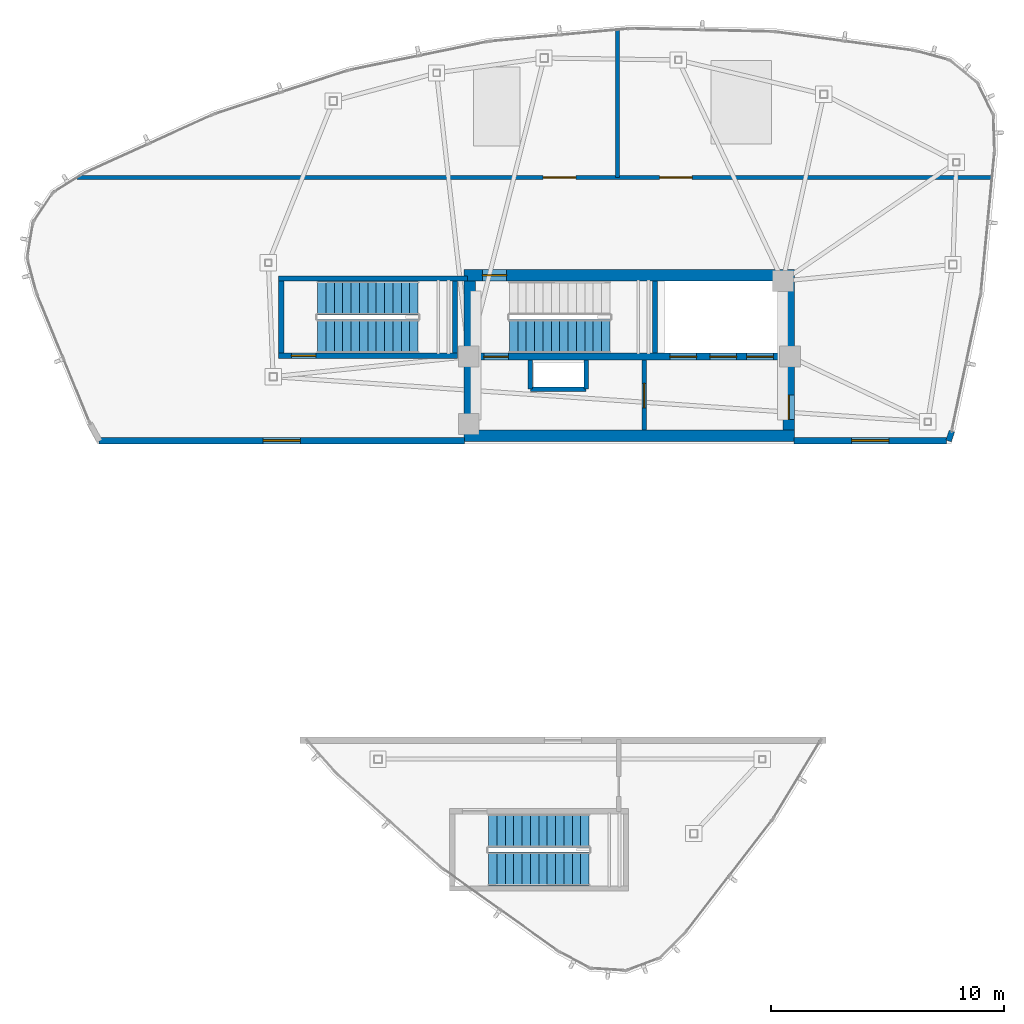
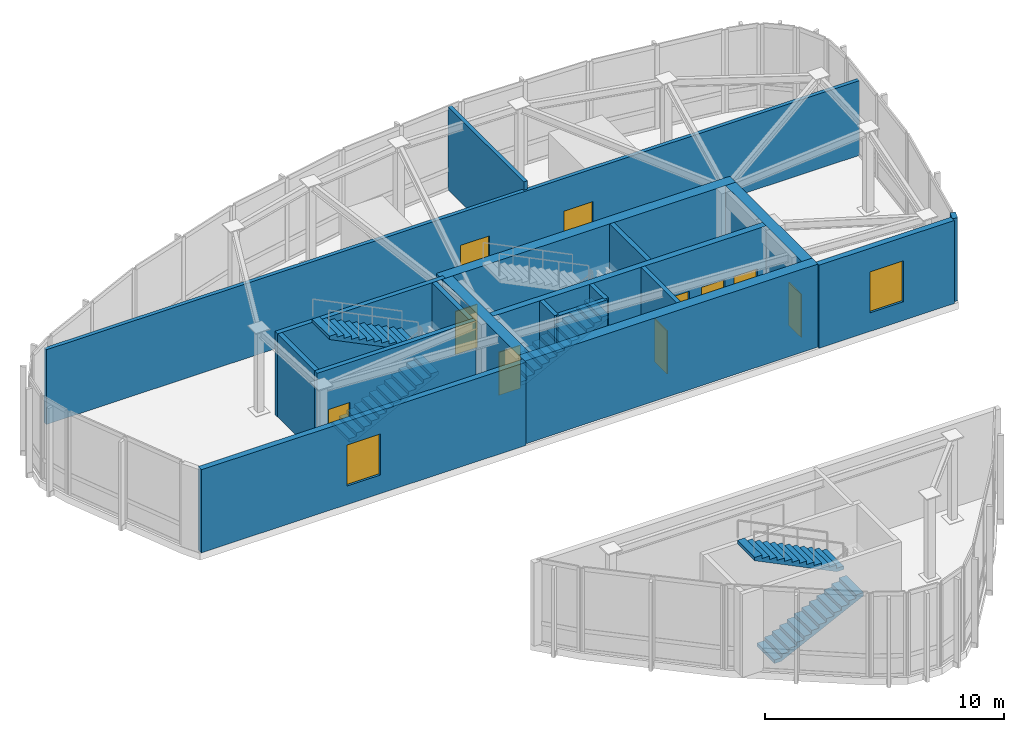
# One storey, part 11 of 16: 19 walls, 10 doors, 5 stair flights, 2 windows, 12 openings, 3 elements without a shape of their own.
"""IFC4 building model written with IfcOpenShell, lengths in metres."""

import ifcopenshell
import ifcopenshell.guid

model = None  # the IFC model being written
_history = None  # IfcOwnerHistory: only IFC2X3 demands one
_inside = {}  # id of a spatial element -> (the spatial element, [elements in it])
_under = {}  # id of a project, library or spatial element -> (it, [spatial elements below it])
_declared = {}  # id of a project -> (the project, [libraries it declares])
_typed = {}  # id of a type object -> (the type object, [elements of that type])
_made_of = {}  # id of a material, layer set ... -> (it, [elements and type objects made of it])


def new_model(schema):
    """Start an empty IFC model of exactly this schema.

    Asked for "IFC4X3", IfcOpenShell would pick the latest addendum, in which some entities
    have other attributes; the version numbers below select the first issue.
    IFC2X3 requires an IfcOwnerHistory on every rooted entity: one is made here for all.
    """
    global model, _history
    if schema == "IFC4X3":
        model = ifcopenshell.file(schema_version=(4, 3, 0, 0))
    else:
        model = ifcopenshell.file(schema=schema)
    _inside.clear()
    _under.clear()
    _declared.clear()
    _typed.clear()
    _made_of.clear()
    _history = None
    if model.schema == "IFC2X3":
        org = make("IfcOrganization", Name="unknown")
        user = make(
            "IfcPersonAndOrganization",
            ThePerson=make("IfcPerson", FamilyName="unknown"),
            TheOrganization=org,
        )
        app = make(
            "IfcApplication",
            ApplicationDeveloper=org,
            Version="unknown",
            ApplicationFullName="unknown",
            ApplicationIdentifier="unknown",
        )
        _history = make(
            "IfcOwnerHistory",
            OwningUser=user,
            OwningApplication=app,
            ChangeAction="ADDED",
            CreationDate=0,
        )
    return model


def make(cls, **values):
    """One entity of the class cls with the attributes given. An attribute that is None is left unset."""
    return model.create_entity(
        cls, **{name: value for name, value in values.items() if value is not None}
    )


def rooted(cls, **values):
    """An entity with a GlobalId (a new one), such as an element, a storey or a relation."""
    return make(cls, GlobalId=ifcopenshell.guid.new(), OwnerHistory=_history, **values)


def si_unit(unit_type, name, prefix=None):
    """IfcSIUnit, for example si_unit("LENGTHUNIT", "METRE", prefix="MILLI")."""
    return make("IfcSIUnit", UnitType=unit_type, Prefix=prefix, Name=name)


def assignment(units):
    """IfcUnitAssignment: the units of a project."""
    return None if units is None else make("IfcUnitAssignment", Units=units)


def point(xyz):
    """IfcCartesianPoint."""
    return None if xyz is None else make("IfcCartesianPoint", Coordinates=xyz)


def direction(xyz):
    """IfcDirection."""
    return None if xyz is None else make("IfcDirection", DirectionRatios=xyz)


def frame(location, z_axis=None, x_axis=None):
    """IfcAxis2Placement3D, a coordinate frame: its origin and axes. An axis left out is left unset."""
    return make(
        "IfcAxis2Placement3D",
        Location=point(location),
        Axis=direction(z_axis),
        RefDirection=direction(x_axis),
    )


def frame_2d(location, x_axis=None):
    """IfcAxis2Placement2D, a coordinate frame in the plane: its origin and x axis."""
    return make(
        "IfcAxis2Placement2D", Location=point(location), RefDirection=direction(x_axis)
    )


def origin():
    """The frame at (0, 0, 0) with its axes left unset."""
    return frame((0.0, 0.0, 0.0))


def place(relative_to, where):
    """IfcLocalPlacement: puts the frame where relative to a parent placement (None: the world)."""
    return make(
        "IfcLocalPlacement", PlacementRelTo=relative_to, RelativePlacement=where
    )


def context(
    kind, dimensions, precision=None, world=None, true_north=None, identifier=None
):
    """IfcGeometricRepresentationContext, for example the 3D "Model" context."""
    return make(
        "IfcGeometricRepresentationContext",
        ContextIdentifier=identifier,
        ContextType=kind,
        CoordinateSpaceDimension=dimensions,
        Precision=precision,
        WorldCoordinateSystem=world,
        TrueNorth=true_north,
    )


def subcontext(parent, identifier, kind, view, scale=None):
    """IfcGeometricRepresentationSubContext, for example "Body" below "Model"."""
    return make(
        "IfcGeometricRepresentationSubContext",
        ContextIdentifier=identifier,
        ContextType=kind,
        ParentContext=parent,
        TargetScale=scale,
        TargetView=view,
    )


def project(units=None, contexts=None):
    """IfcProject with its units and contexts."""
    return rooted(
        "IfcProject",
        Name="project",
        RepresentationContexts=contexts,
        UnitsInContext=assignment(units),
    )


def spatial(cls, under=None, at=None, **own):
    """A site, building, storey or space (cls), placed at a placement, below another one or the project."""
    s = rooted(cls, ObjectPlacement=at, **own)
    if under is not None:
        _under.setdefault(under.id(), (under, []))[1].append(s)
    return s


def polyline(points):
    """IfcPolyline through the points."""
    return make("IfcPolyline", Points=[point(p) for p in points])


def profile(cls, at=None, kind="AREA", **sizes):
    """A parametric profile (cls). Its sizes go by their IFC names, for example OverallWidth=200.0."""
    return make(cls, ProfileType=kind, Position=at, **sizes)


def rectangle(**sizes):
    """IfcRectangleProfileDef."""
    return profile("IfcRectangleProfileDef", **sizes)


def outline(outer, holes=None, kind="AREA"):
    """IfcArbitraryClosedProfileDef: a profile drawn as a closed curve; with holes, ...WithVoids."""
    if holes is None:
        return make("IfcArbitraryClosedProfileDef", ProfileType=kind, OuterCurve=outer)
    return make(
        "IfcArbitraryProfileDefWithVoids",
        ProfileType=kind,
        OuterCurve=outer,
        InnerCurves=holes,
    )


def extrude(swept, where, along, depth):
    """IfcExtrudedAreaSolid: the profile swept, set in the frame where, extruded along a direction by depth."""
    return make(
        "IfcExtrudedAreaSolid",
        SweptArea=swept,
        Position=where,
        ExtrudedDirection=direction(along),
        Depth=depth,
    )


def shape(context_of_items, identifier, shape_type, items):
    """IfcShapeRepresentation: the items that make up one representation, for example the "Body"."""
    return make(
        "IfcShapeRepresentation",
        ContextOfItems=context_of_items,
        RepresentationIdentifier=identifier,
        RepresentationType=shape_type,
        Items=items,
    )


def material(Name=None, Category=None):
    """IfcMaterial."""
    return make("IfcMaterial", Name=Name, Category=Category)


def layer(
    of_material, thickness, ventilated=None, Name=None, Category=None, Priority=None
):
    """IfcMaterialLayer: one layer of a wall or slab, of a material (None: an air gap)."""
    return make(
        "IfcMaterialLayer",
        Material=of_material,
        LayerThickness=thickness,
        IsVentilated=ventilated,
        Name=Name,
        Category=Category,
        Priority=Priority,
    )


def layer_set(layers, Name=None):
    """IfcMaterialLayerSet."""
    return make("IfcMaterialLayerSet", MaterialLayers=layers, LayerSetName=Name)


def made_of(thing, what):
    """Note that an element or type object is made of a material, layer set ...; save() writes the relation."""
    if what is not None:
        _made_of.setdefault(what.id(), (what, []))[1].append(thing)
    return thing


def type_object(cls, material=None, **own):
    """A type object (cls), such as IfcWallType, which elements share."""
    return made_of(rooted(cls, **own), material)


def element(
    cls,
    number,
    at=None,
    inside=None,
    cuts=None,
    type_object=None,
    material=None,
    context=None,
    identifier="Body",
    shape_type=None,
    held_by="IfcProductDefinitionShape",
    body=None,
    shapes=None,
    **own,
):
    """One element of the class cls, such as IfcWall. Its Tag is "e" and its number.

    at: its placement. inside: the storey or other place that contains it. cuts: it is an
    opening in that element (IfcRelVoidsElement). A single representation is given by context,
    identifier, shape_type and body (its items); several are given by shapes. held_by: the class
    of the entity that holds the representations. save() writes the other relations.
    """
    e = rooted(cls, Tag="e%d" % number, ObjectPlacement=at, **own)
    if body is not None:
        shapes = [shape(context, identifier, shape_type, body)]
    if shapes is not None:
        e.Representation = make(held_by, Representations=shapes)
    if inside is not None:
        _inside.setdefault(inside.id(), (inside, []))[1].append(e)
    if cuts is not None:
        rooted(
            "IfcRelVoidsElement", RelatingBuildingElement=cuts, RelatedOpeningElement=e
        )
    if type_object is not None:
        _typed.setdefault(type_object.id(), (type_object, []))[1].append(e)
    return made_of(e, material)


def fill(opening, filler):
    """IfcRelFillsElement: the door or window that sits in an opening."""
    return rooted(
        "IfcRelFillsElement",
        RelatingOpeningElement=opening,
        RelatedBuildingElement=filler,
    )


def aggregate(whole, parts):
    """IfcRelAggregates: a whole, such as a stair, and the parts it consists of."""
    return rooted("IfcRelAggregates", RelatingObject=whole, RelatedObjects=parts)


def save(model, path):
    """Write the relations noted so far, then the file.

    IfcRelAggregates (storeys below a building ...), IfcRelContainedInSpatialStructure (elements
    in a storey), IfcRelDefinesByType, IfcRelAssociatesMaterial and IfcRelDeclares: one each for
    every whole, place, type object, material and project.
    """
    for whole, parts in _under.values():
        aggregate(whole, parts)
    for where, things in _inside.values():
        rooted(
            "IfcRelContainedInSpatialStructure",
            RelatedElements=things,
            RelatingStructure=where,
        )
    for kind, things in _typed.values():
        rooted("IfcRelDefinesByType", RelatedObjects=things, RelatingType=kind)
    for what, things in _made_of.values():
        rooted("IfcRelAssociatesMaterial", RelatedObjects=things, RelatingMaterial=what)
    for by, libraries in _declared.values():
        rooted("IfcRelDeclares", RelatingContext=by, RelatedDefinitions=libraries)
    model.write(path)


model = new_model("IFC4")

# Units and contexts
model_context = context("Model", 3, precision=1e-05, world=origin(), true_north=direction((0.0, 1.0)))
body_context = subcontext(model_context, "Body", "Model", "MODEL_VIEW")
ifc_project = project(units=[si_unit("LENGTHUNIT", "METRE"), si_unit("AREAUNIT", "SQUARE_METRE"), si_unit("VOLUMEUNIT", "CUBIC_METRE"), si_unit("PLANEANGLEUNIT", "RADIAN"), si_unit("MASSUNIT", "GRAM", prefix="KILO")], contexts=[model_context])

# Site, building, storey
site_placement = place(None, origin())
site = spatial("IfcSite", under=ifc_project, at=site_placement, CompositionType="ELEMENT")
building_placement = place(site_placement, origin())
building = spatial("IfcBuilding", under=site, at=building_placement, Name="Tavelor Broadcast Tower", CompositionType="ELEMENT")
storey_placement = place(building_placement, frame((0.0, 0.0, 336.699951171875)))
storey = spatial("IfcBuildingStorey", under=building, at=storey_placement, Name="L80", CompositionType="ELEMENT", Elevation=336.699951171875)

# Wall, opening, door
ifc_material_1 = material(Name="Concrete C50/60", Category="concrete")
ifc_layer_1 = layer(ifc_material_1, 0.5)
ifc_layer_set_1 = layer_set([ifc_layer_1], Name="Concrete C50/60")
wall_type_1 = type_object("IfcWallType", Name="Core Shear Wall 500 mm", PredefinedType="SHEAR", material=ifc_layer_set_1)
wall_1_placement = place(storey_placement, frame((42.89990234375, 51.449951171875, 0.0), z_axis=(0.0, 0.0, 1.0), x_axis=(1.0, 0.0, 0.0)))
wall_1 = element("IfcWall", 1, at=wall_1_placement, inside=storey, type_object=wall_type_1, Name="L80 Central Core Shear Wall N", PredefinedType="SHEAR", context=body_context, shape_type="SweptSolid", body=[
    extrude(rectangle(XDim=14.2001953125, YDim=0.5, at=frame_2d((7.10009765625, 0.0))), origin(), (0.0, 0.0, 1.0), 4.25),
])
opening_1_placement = place(wall_1_placement, frame((0.780029296875, 0.0, 0.0)))
opening_1 = element("IfcOpeningElement", 2, at=opening_1_placement, cuts=wall_1, Name="Opening DR11", PredefinedType="OPENING", context=body_context, shape_type="SweptSolid", body=[
    extrude(rectangle(XDim=1.050048828125, YDim=2.199951171875, at=frame_2d((0.52490234375, 1.10009765625))), frame((0.0, 0.260009765625, 0.0), z_axis=(0.0, -1.0, 0.0), x_axis=(1.0, 0.0, 0.0)), (0.0, 0.0, 1.0), 0.52001953125),
])
ifc_material_2 = material(Name="Steel S355", Category="steel")
door_type_1 = type_object("IfcDoorType", Name="Stair Core Fire Escape Door 1050x2200", OperationType="NOTDEFINED", PredefinedType="DOOR", material=ifc_material_2)
door_1_placement = place(opening_1_placement, origin())
door_1 = element("IfcDoor", 3, at=door_1_placement, inside=storey, type_object=door_type_1, Name="L80 Stair ST1 Protected Exit Door", OperationType="SINGLE_SWING_LEFT", OverallHeight=2.199951171875, OverallWidth=1.050048828125, PredefinedType="DOOR", context=body_context, shape_type="SweptSolid", body=[
    extrude(rectangle(XDim=1.050048828125, YDim=2.199951171875, at=frame_2d((0.52490234375, 1.10009765625))), frame((0.0, 0.02490234375, 0.0), z_axis=(0.0, -1.0, 0.0), x_axis=(1.0, 0.0, 0.0)), (0.0, 0.0, 1.0), 0.050048828125),
])
fill(opening_1, door_1)

# Walls
wall_2_placement = place(storey_placement, frame((42.89990234375, 44.550048828125, 0.0), z_axis=(0.0, 0.0, 1.0), x_axis=(1.0, 0.0, 0.0)))
element("IfcWall", 4, at=wall_2_placement, inside=storey, type_object=wall_type_1, Name="L80 Central Core Shear Wall S", PredefinedType="SHEAR", context=body_context, shape_type="SweptSolid", body=[
    extrude(rectangle(XDim=14.2001953125, YDim=0.5, at=frame_2d((7.10009765625, 0.0))), origin(), (0.0, 0.0, 1.0), 4.25),
])
wall_3_placement = place(storey_placement, frame((43.14990234375, 44.800048828125, 0.0), z_axis=(0.0, 0.0, 1.0), x_axis=(0.0, 1.0, 0.0)))
element("IfcWall", 5, at=wall_3_placement, inside=storey, type_object=wall_type_1, Name="L80 Central Core Shear Wall W", PredefinedType="SHEAR", context=body_context, shape_type="SweptSolid", body=[
    extrude(rectangle(XDim=6.39990234375, YDim=0.5, at=frame_2d((3.199951171875, 0.0))), origin(), (0.0, 0.0, 1.0), 4.25),
])

# Wall, opening, door
wall_4_placement = place(storey_placement, frame((56.85009765625, 44.800048828125, 0.0), z_axis=(0.0, 0.0, 1.0), x_axis=(0.0, 1.0, 0.0)))
wall_4 = element("IfcWall", 6, at=wall_4_placement, inside=storey, type_object=wall_type_1, Name="L80 Central Core Shear Wall E", PredefinedType="SHEAR", context=body_context, shape_type="SweptSolid", body=[
    extrude(rectangle(XDim=6.39990234375, YDim=0.5, at=frame_2d((3.199951171875, 0.0))), origin(), (0.0, 0.0, 1.0), 4.25),
])
opening_2_placement = place(wall_4_placement, frame((0.449951171875, 0.0, 0.0)))
opening_2 = element("IfcOpeningElement", 7, at=opening_2_placement, cuts=wall_4, Name="Opening DR11", PredefinedType="OPENING", context=body_context, shape_type="SweptSolid", body=[
    extrude(rectangle(XDim=1.050048828125, YDim=2.199951171875, at=frame_2d((0.52490234375, 1.10009765625))), frame((0.0, 0.260009765625, 0.0), z_axis=(0.0, -1.0, 0.0), x_axis=(1.0, 0.0, 0.0)), (0.0, 0.0, 1.0), 0.52001953125),
])
door_2_placement = place(opening_2_placement, origin())
door_2 = element("IfcDoor", 8, at=door_2_placement, inside=storey, type_object=door_type_1, Name="L80 Crown Core East Lobby Door", OperationType="SINGLE_SWING_LEFT", OverallHeight=2.199951171875, OverallWidth=1.050048828125, PredefinedType="DOOR", context=body_context, shape_type="SweptSolid", body=[
    extrude(rectangle(XDim=1.050048828125, YDim=2.199951171875, at=frame_2d((0.52490234375, 1.10009765625))), frame((0.0, 0.02490234375, 0.0), z_axis=(0.0, -1.0, 0.0), x_axis=(1.0, 0.0, 0.0)), (0.0, 0.0, 1.0), 0.050048828125),
])
fill(opening_2, door_2)

# Wall, openings, doors
ifc_layer_2 = layer(ifc_material_1, 0.300048828125)
ifc_layer_set_2 = layer_set([ifc_layer_2], Name="Concrete C50/60")
wall_type_2 = type_object("IfcWallType", Name="Core Spine Shear Wall 300 mm C50", PredefinedType="SHEAR", material=ifc_layer_set_2)
wall_5_placement = place(storey_placement, frame((43.39990234375, 47.949951171875, 0.0), z_axis=(0.0, 0.0, 1.0), x_axis=(1.0, 0.0, 0.0)))
wall_5 = element("IfcWall", 9, at=wall_5_placement, inside=storey, type_object=wall_type_2, Name="L80 Central Core Shear Wall SP1", PredefinedType="SHEAR", context=body_context, shape_type="SweptSolid", body=[
    extrude(rectangle(XDim=13.2001953125, YDim=0.300048828125, at=frame_2d((6.60009765625, 0.0))), origin(), (0.0, 0.0, 1.0), 4.25),
])
opening_3_placement = place(wall_5_placement, frame((0.35009765625, 0.0, 0.0)))
opening_3 = element("IfcOpeningElement", 10, at=opening_3_placement, cuts=wall_5, Name="Opening DR11", PredefinedType="OPENING", context=body_context, shape_type="SweptSolid", body=[
    extrude(rectangle(XDim=1.050048828125, YDim=2.199951171875, at=frame_2d((0.52490234375, 1.10009765625))), frame((0.0, 0.16015625, 0.0), z_axis=(0.0, -1.0, 0.0), x_axis=(1.0, 0.0, 0.0)), (0.0, 0.0, 1.0), 0.320068359375),
])
opening_4_placement = place(wall_5_placement, frame((8.344970703125, 0.0, 0.0)))
opening_4 = element("IfcOpeningElement", 11, at=opening_4_placement, cuts=wall_5, Name="Opening LD02", PredefinedType="OPENING", context=body_context, shape_type="SweptSolid", body=[
    extrude(rectangle(XDim=1.14990234375, YDim=2.199951171875, at=frame_2d((0.574951171875, 1.10009765625))), frame((0.0, 0.16015625, 0.0), z_axis=(0.0, -1.0, 0.0), x_axis=(1.0, 0.0, 0.0)), (0.0, 0.0, 1.0), 0.320068359375),
])
opening_5_placement = place(wall_5_placement, frame((10.06494140625, 0.0, 0.0)))
opening_5 = element("IfcOpeningElement", 12, at=opening_5_placement, cuts=wall_5, Name="Opening LD02", PredefinedType="OPENING", context=body_context, shape_type="SweptSolid", body=[
    extrude(rectangle(XDim=1.14990234375, YDim=2.199951171875, at=frame_2d((0.574951171875, 1.10009765625))), frame((0.0, 0.16015625, 0.0), z_axis=(0.0, -1.0, 0.0), x_axis=(1.0, 0.0, 0.0)), (0.0, 0.0, 1.0), 0.320068359375),
])
opening_6_placement = place(wall_5_placement, frame((11.64501953125, 0.0, 0.0)))
opening_6 = element("IfcOpeningElement", 13, at=opening_6_placement, cuts=wall_5, Name="Opening LD03", PredefinedType="OPENING", context=body_context, shape_type="SweptSolid", body=[
    extrude(rectangle(XDim=1.14990234375, YDim=2.199951171875, at=frame_2d((0.574951171875, 1.10009765625))), frame((0.0, 0.16015625, 0.0), z_axis=(0.0, -1.0, 0.0), x_axis=(1.0, 0.0, 0.0)), (0.0, 0.0, 1.0), 0.320068359375),
])
ifc_material_3 = material(Name="Reinforced Brushed Stainless Steel", Category="concrete")
door_type_2 = type_object("IfcDoorType", Name="Broadcast Goods Lift Sliding Landing Door 1250x2200", OperationType="NOTDEFINED", PredefinedType="DOOR", material=ifc_material_3)
door_3_placement = place(opening_6_placement, origin())
door_3 = element("IfcDoor", 14, at=door_3_placement, inside=storey, type_object=door_type_2, Name="L80 Lift SVL1 Sliding Landing Door", OperationType="SLIDING_TO_LEFT", OverallHeight=2.199951171875, OverallWidth=1.14990234375, PredefinedType="DOOR", context=body_context, shape_type="SweptSolid", body=[
    extrude(rectangle(XDim=1.14990234375, YDim=2.199951171875, at=frame_2d((0.574951171875, 1.10009765625))), frame((0.0, 0.02490234375, 0.0), z_axis=(0.0, -1.0, 0.0), x_axis=(1.0, 0.0, 0.0)), (0.0, 0.0, 1.0), 0.050048828125),
])
fill(opening_6, door_3)
ifc_material_4 = material(Name="Fire-Rated Stainless Steel", Category="steel")
door_type_3 = type_object("IfcDoorType", Name="Firefighting Lift Sliding Landing Door 1200x2200", OperationType="NOTDEFINED", PredefinedType="DOOR", material=ifc_material_4)
door_4_placement = place(opening_4_placement, origin())
door_4 = element("IfcDoor", 15, at=door_4_placement, inside=storey, type_object=door_type_3, Name="L80 Lift FFL1 Sliding Landing Door", OperationType="SLIDING_TO_LEFT", OverallHeight=2.199951171875, OverallWidth=1.14990234375, PredefinedType="DOOR", context=body_context, shape_type="SweptSolid", body=[
    extrude(rectangle(XDim=1.14990234375, YDim=2.199951171875, at=frame_2d((0.574951171875, 1.10009765625))), frame((0.0, 0.02490234375, 0.0), z_axis=(0.0, -1.0, 0.0), x_axis=(1.0, 0.0, 0.0)), (0.0, 0.0, 1.0), 0.050048828125),
])
fill(opening_4, door_4)
door_5_placement = place(opening_5_placement, origin())
door_5 = element("IfcDoor", 16, at=door_5_placement, inside=storey, type_object=door_type_3, Name="L80 Lift FFL2 Sliding Landing Door", OperationType="SLIDING_TO_LEFT", OverallHeight=2.199951171875, OverallWidth=1.14990234375, PredefinedType="DOOR", context=body_context, shape_type="SweptSolid", body=[
    extrude(rectangle(XDim=1.14990234375, YDim=2.199951171875, at=frame_2d((0.574951171875, 1.10009765625))), frame((0.0, 0.02490234375, 0.0), z_axis=(0.0, -1.0, 0.0), x_axis=(1.0, 0.0, 0.0)), (0.0, 0.0, 1.0), 0.050048828125),
])
fill(opening_5, door_5)
door_6_placement = place(opening_3_placement, origin())
door_6 = element("IfcDoor", 17, at=door_6_placement, inside=storey, type_object=door_type_1, Name="L80 Crown Core Stair ST1 Door", OperationType="SINGLE_SWING_LEFT", OverallHeight=2.199951171875, OverallWidth=1.050048828125, PredefinedType="DOOR", context=body_context, shape_type="SweptSolid", body=[
    extrude(rectangle(XDim=1.050048828125, YDim=2.199951171875, at=frame_2d((0.52490234375, 1.10009765625))), frame((0.0, 0.02490234375, 0.0), z_axis=(0.0, -1.0, 0.0), x_axis=(1.0, 0.0, 0.0)), (0.0, 0.0, 1.0), 0.050048828125),
])
fill(opening_3, door_6)

# Wall
ifc_material_5 = material(Name="Calcium Silicate Fire Board 180 mm", Category="gypsum")
ifc_layer_3 = layer(ifc_material_5, 0.179931640625)
ifc_layer_set_3 = layer_set([ifc_layer_3], Name="Calcium Silicate Fire Board 180 mm")
wall_type_3 = type_object("IfcWallType", Name="Fire-Rated Corridor Partition Wall 180 mm", PredefinedType="PARTITIONING", material=ifc_layer_set_3)
wall_6_placement = place(storey_placement, frame((49.5, 55.64990234375, 0.0), z_axis=(0.0, 0.0, 1.0), x_axis=(0.0, 1.0, 0.0)))
element("IfcWall", 18, at=wall_6_placement, inside=storey, type_object=wall_type_3, Name="L80 Crown Peak A Plant Divider", PredefinedType="PARTITIONING", context=body_context, shape_type="SweptSolid", body=[
    extrude(rectangle(XDim=6.354248046875, YDim=0.179931640625, at=frame_2d((3.17724609375, 0.0))), origin(), (0.0, 0.0, 1.0), 4.25),
])

# Wall, openings, doors
wall_7_placement = place(storey_placement, frame((26.265625, 55.64990234375, 0.0), z_axis=(0.0, 0.0, 1.0), x_axis=(1.0, 0.0, 0.0)))
wall_7 = element("IfcWall", 19, at=wall_7_placement, inside=storey, type_object=wall_type_3, Name="L80 Peak A Plant Corridor Wall", PredefinedType="PARTITIONING", context=body_context, shape_type="SweptSolid", body=[
    extrude(rectangle(XDim=39.327392578125, YDim=0.179931640625, at=frame_2d((19.66357421875, 0.0))), origin(), (0.0, 0.0, 1.0), 3.824951171875),
])
opening_7_placement = place(wall_7_placement, frame((20.0341796875, 0.0, 0.0)))
opening_7 = element("IfcOpeningElement", 20, at=opening_7_placement, cuts=wall_7, Name="Opening DR41", PredefinedType="OPENING", context=body_context, shape_type="SweptSolid", body=[
    extrude(rectangle(XDim=1.39990234375, YDim=2.14990234375, at=frame_2d((0.699951171875, 1.074951171875))), frame((0.0, 0.10009765625, 0.0), z_axis=(0.0, -1.0, 0.0), x_axis=(1.0, 0.0, 0.0)), (0.0, 0.0, 1.0), 0.199951171875),
])
opening_8_placement = place(wall_7_placement, frame((25.0341796875, 0.0, 0.0)))
opening_8 = element("IfcOpeningElement", 21, at=opening_8_placement, cuts=wall_7, Name="Opening DR41", PredefinedType="OPENING", context=body_context, shape_type="SweptSolid", body=[
    extrude(rectangle(XDim=1.39990234375, YDim=2.14990234375, at=frame_2d((0.699951171875, 1.074951171875))), frame((0.0, 0.10009765625, 0.0), z_axis=(0.0, -1.0, 0.0), x_axis=(1.0, 0.0, 0.0)), (0.0, 0.0, 1.0), 0.199951171875),
])
door_type_4 = type_object("IfcDoorType", Name="Plant Room Double Fire Door 1400x2150", OperationType="NOTDEFINED", PredefinedType="DOOR", material=ifc_material_2)
door_7_placement = place(opening_7_placement, origin())
door_7 = element("IfcDoor", 22, at=door_7_placement, inside=storey, type_object=door_type_4, Name="L80 Broadcast Chiller Plant Door", OperationType="SINGLE_SWING_RIGHT", OverallHeight=2.14990234375, OverallWidth=1.39990234375, PredefinedType="DOOR", context=body_context, shape_type="SweptSolid", body=[
    extrude(rectangle(XDim=1.39990234375, YDim=2.14990234375, at=frame_2d((0.699951171875, 1.074951171875))), frame((0.0, 0.02490234375, 0.0), z_axis=(0.0, -1.0, 0.0), x_axis=(1.0, 0.0, 0.0)), (0.0, 0.0, 1.0), 0.050048828125),
])
fill(opening_7, door_7)
door_8_placement = place(opening_8_placement, origin())
door_8 = element("IfcDoor", 23, at=door_8_placement, inside=storey, type_object=door_type_4, Name="L80 Emergency Switchgear and AHU Plant Door", OperationType="SINGLE_SWING_LEFT", OverallHeight=2.14990234375, OverallWidth=1.39990234375, PredefinedType="DOOR", context=body_context, shape_type="SweptSolid", body=[
    extrude(rectangle(XDim=1.39990234375, YDim=2.14990234375, at=frame_2d((0.699951171875, 1.074951171875))), frame((0.0, 0.02490234375, 0.0), z_axis=(0.0, -1.0, 0.0), x_axis=(1.0, 0.0, 0.0)), (0.0, 0.0, 1.0), 0.050048828125),
])
fill(opening_8, door_8)

# Wall, opening, window
ifc_material_6 = material(Name="Precast Concrete C40/50", Category="concrete")
ifc_layer_4 = layer(ifc_material_6, 0.280029296875)
ifc_layer_set_4 = layer_set([ifc_layer_4], Name="Precast Concrete C40/50")
wall_type_4 = type_object("IfcWallType", Name="Insulated Precast Terracotta Facade Wall 280 mm", PredefinedType="STANDARD", material=ifc_layer_set_4)
wall_8_placement = place(storey_placement, frame((27.20654296875, 44.340087890625, 0.0), z_axis=(0.0, 0.0, 1.0), x_axis=(1.0, 0.0, 0.0)))
wall_8 = element("IfcWall", 24, at=wall_8_placement, inside=storey, type_object=wall_type_4, Name="L80 Crown Peak A Sky-Slot Wall 01.1", PredefinedType="STANDARD", context=body_context, shape_type="SweptSolid", body=[
    extrude(rectangle(XDim=15.703369140625, YDim=0.280029296875, at=frame_2d((7.8515625, 0.0))), origin(), (0.0, 0.0, 1.0), 4.25),
])
opening_9_placement = place(wall_8_placement, frame((7.0517578125, 0.0, 0.949951171875)))
opening_9 = element("IfcOpeningElement", 25, at=opening_9_placement, cuts=wall_8, Name="Opening WN29", PredefinedType="OPENING", context=body_context, shape_type="SweptSolid", body=[
    extrude(rectangle(XDim=1.60009765625, YDim=2.10009765625, at=frame_2d((0.800048828125, 1.050048828125))), frame((0.0, 0.14990234375, 0.0), z_axis=(0.0, -1.0, 0.0), x_axis=(1.0, 0.0, 0.0)), (0.0, 0.0, 1.0), 0.300048828125),
])
ifc_material_7 = material(Name="Acoustic Double Glazing 28 mm", Category="glass")
window_type = type_object("IfcWindowType", Name="Crown Beacon Observation Window 1600x2100", PartitioningType="SINGLE_PANEL", PredefinedType="WINDOW", material=ifc_material_7)
window_1_placement = place(opening_9_placement, origin())
window_1 = element("IfcWindow", 26, at=window_1_placement, inside=storey, type_object=window_type, Name="L80 Crown Sky-Slot Observation Window A01.1", OverallHeight=2.10009765625, OverallWidth=1.60009765625, PartitioningType="SINGLE_PANEL", PredefinedType="WINDOW", context=body_context, shape_type="SweptSolid", body=[
    extrude(rectangle(XDim=1.60009765625, YDim=2.10009765625, at=frame_2d((0.800048828125, 1.050048828125))), frame((0.0, 0.030029296875, 0.0), z_axis=(0.0, -1.0, 0.0), x_axis=(1.0, 0.0, 0.0)), (0.0, 0.0, 1.0), 0.06005859375),
])
fill(opening_9, window_1)

wall_9_placement = place(storey_placement, frame((57.090087890625, 44.340087890625, 0.0), z_axis=(0.0, 0.0, 1.0), x_axis=(1.0, 0.0, 0.0)))
wall_9 = element("IfcWall", 27, at=wall_9_placement, inside=storey, type_object=wall_type_4, Name="L80 Crown Peak A Sky-Slot Wall 01.2", PredefinedType="STANDARD", context=body_context, shape_type="SweptSolid", body=[
    extrude(rectangle(XDim=6.5361328125, YDim=0.280029296875, at=frame_2d((3.26806640625, 0.0))), origin(), (0.0, 0.0, 1.0), 4.25),
])
opening_10_placement = place(wall_9_placement, frame((2.468017578125, 0.0, 0.949951171875)))
opening_10 = element("IfcOpeningElement", 28, at=opening_10_placement, cuts=wall_9, Name="Opening WN29", PredefinedType="OPENING", context=body_context, shape_type="SweptSolid", body=[
    extrude(rectangle(XDim=1.60009765625, YDim=2.10009765625, at=frame_2d((0.800048828125, 1.050048828125))), frame((0.0, 0.14990234375, 0.0), z_axis=(0.0, -1.0, 0.0), x_axis=(1.0, 0.0, 0.0)), (0.0, 0.0, 1.0), 0.300048828125),
])
window_2_placement = place(opening_10_placement, origin())
window_2 = element("IfcWindow", 29, at=window_2_placement, inside=storey, type_object=window_type, Name="L80 Crown Sky-Slot Observation Window A01.2", OverallHeight=2.10009765625, OverallWidth=1.60009765625, PartitioningType="SINGLE_PANEL", PredefinedType="WINDOW", context=body_context, shape_type="SweptSolid", body=[
    extrude(rectangle(XDim=1.60009765625, YDim=2.10009765625, at=frame_2d((0.800048828125, 1.050048828125))), frame((0.0, 0.030029296875, 0.0), z_axis=(0.0, -1.0, 0.0), x_axis=(1.0, 0.0, 0.0)), (0.0, 0.0, 1.0), 0.06005859375),
])
fill(opening_10, window_2)

# Walls
ifc_material_8 = material(Name="Concrete Blockwork 200 mm", Category="masonry")
ifc_layer_5 = layer(ifc_material_8, 0.199951171875)
ifc_layer_set_5 = layer_set([ifc_layer_5], Name="Concrete Blockwork 200 mm")
wall_type_5 = type_object("IfcWallType", Name="Lift and Riser Shaft Enclosure Wall 200 mm", PredefinedType="PARTITIONING", material=ifc_layer_set_5)
wall_10_placement = place(storey_placement, frame((45.75, 46.550048828125, 0.0), z_axis=(0.0, 0.0, 1.0), x_axis=(1.0, 0.0, 0.0)))
element("IfcWall", 30, at=wall_10_placement, inside=storey, type_object=wall_type_5, Name="L80 Riser Shaft South Wall", PredefinedType="PARTITIONING", context=body_context, shape_type="SweptSolid", body=[
    extrude(rectangle(XDim=2.39990234375, YDim=0.199951171875, at=frame_2d((1.199951171875, 0.0))), origin(), (0.0, 0.0, 1.0), 4.25),
])
for number, where, z_axis, x_axis, name in (
    (31, (48.14990234375, 46.550048828125, 0.0), (0.0, 0.0, 1.0), (0.0, 1.0, 0.0), "L80 Riser Shaft East Wall"),
    (32, (45.75, 46.550048828125, 0.0), (0.0, 0.0, 1.0), (0.0, 1.0, 0.0), "L80 Riser Shaft West Wall"),
):
    element("IfcWall", number, at=place(storey_placement, frame(where, z_axis=z_axis, x_axis=x_axis)), inside=storey, type_object=wall_type_5, Name=name, PredefinedType="PARTITIONING", context=body_context, shape_type="SweptSolid", body=[
        extrude(rectangle(XDim=1.25, YDim=0.199951171875, at=frame_2d((0.625, 0.0))), origin(), (0.0, 0.0, 1.0), 4.25),
    ])

# Wall, opening, door
wall_11_placement = place(storey_placement, frame((50.64990234375, 44.800048828125, 0.0), z_axis=(0.0, 0.0, 1.0), x_axis=(0.0, 1.0, 0.0)))
wall_11 = element("IfcWall", 33, at=wall_11_placement, inside=storey, type_object=wall_type_5, Name="L80 Firefighting Lobby West Wall", PredefinedType="PARTITIONING", context=body_context, shape_type="SweptSolid", body=[
    extrude(rectangle(XDim=3.0, YDim=0.199951171875, at=frame_2d((1.5, 0.0))), origin(), (0.0, 0.0, 1.0), 4.25),
])
opening_11_placement = place(wall_11_placement, frame((0.949951171875, 0.0, 0.0)))
opening_11 = element("IfcOpeningElement", 34, at=opening_11_placement, cuts=wall_11, Name="Opening DR11", PredefinedType="OPENING", context=body_context, shape_type="SweptSolid", body=[
    extrude(rectangle(XDim=1.050048828125, YDim=2.199951171875, at=frame_2d((0.52490234375, 1.10009765625))), frame((0.0, 0.10986328125, 0.0), z_axis=(0.0, -1.0, 0.0), x_axis=(1.0, 0.0, 0.0)), (0.0, 0.0, 1.0), 0.219970703125),
])
door_9_placement = place(opening_11_placement, origin())
door_9 = element("IfcDoor", 35, at=door_9_placement, inside=storey, type_object=door_type_1, Name="L80 Firefighting Lobby Compartment Door", OperationType="SINGLE_SWING_LEFT", OverallHeight=2.199951171875, OverallWidth=1.050048828125, PredefinedType="DOOR", context=body_context, shape_type="SweptSolid", body=[
    extrude(rectangle(XDim=1.050048828125, YDim=2.199951171875, at=frame_2d((0.52490234375, 1.10009765625))), frame((0.0, 0.02490234375, 0.0), z_axis=(0.0, -1.0, 0.0), x_axis=(1.0, 0.0, 0.0)), (0.0, 0.0, 1.0), 0.050048828125),
])
fill(opening_11, door_9)

# Walls
ifc_layer_6 = layer(ifc_material_6, 0.239990234375)
ifc_layer_set_6 = layer_set([ifc_layer_6], Name="Precast Concrete C40/50")
wall_type_6 = type_object("IfcWallType", Name="Roof and Terrace Perimeter Parapet Wall 240 mm", PredefinedType="PARAPET", material=ifc_layer_set_6)
wall_12_placement = place(storey_placement, frame((63.72607421875, 44.32568359375, 0.0), z_axis=(0.0, 0.0, 1.0), x_axis=(0.315072814645, 0.949067501009, 0.0)))
element("IfcWall", 36, at=wall_12_placement, inside=storey, type_object=wall_type_6, Name="L80 Crown Peak A Rounded Apex Pier 02", PredefinedType="PARAPET", context=body_context, shape_type="SweptSolid", body=[
    extrude(rectangle(XDim=0.444091796875, YDim=0.239990234375, at=frame_2d((0.22216796875, 0.0))), origin(), (0.0, 0.0, 1.0), 4.25),
])
ifc_material_9 = material(Name="Concrete C40/50", Category="concrete")
ifc_layer_7 = layer(ifc_material_9, 0.219970703125)
ifc_layer_set_7 = layer_set([ifc_layer_7], Name="Concrete C40/50")
wall_type_7 = type_object("IfcWallType", Name="Structural Stairwell Shear Wall 220 mm", PredefinedType="SHEAR", material=ifc_layer_set_7)
wall_13_placement = place(storey_placement, frame((51.110107421875, 48.10009765625, 0.0), z_axis=(0.0, 0.0, 1.0), x_axis=(0.0, 1.0, 0.0)))
element("IfcWall", 37, at=wall_13_placement, inside=storey, type_object=wall_type_7, Name="L80 Stair ST1 Structural Shaft Wall", PredefinedType="SHEAR", context=body_context, shape_type="SweptSolid", body=[
    extrude(rectangle(XDim=3.099853515625, YDim=0.219970703125, at=frame_2d((1.5498046875, 0.0))), origin(), (0.0, 0.0, 1.0), 4.25),
])

# Wall, opening, door
wall_14_placement = place(storey_placement, frame((34.929931640625, 47.989990234375, 0.0), z_axis=(0.0, 0.0, 1.0), x_axis=(1.0, 0.0, 0.0)))
wall_14 = element("IfcWall", 38, at=wall_14_placement, inside=storey, type_object=wall_type_7, Name="L80 Stair ST5 Structural Shaft Wall S", PredefinedType="SHEAR", context=body_context, shape_type="SweptSolid", body=[
    extrude(rectangle(XDim=7.690185546875, YDim=0.219970703125, at=frame_2d((3.84521484375, 0.0))), origin(), (0.0, 0.0, 1.0), 4.25),
])
opening_12_placement = place(wall_14_placement, frame((0.550048828125, 0.0, 0.0)))
opening_12 = element("IfcOpeningElement", 39, at=opening_12_placement, cuts=wall_14, Name="Opening DR11", PredefinedType="OPENING", context=body_context, shape_type="SweptSolid", body=[
    extrude(rectangle(XDim=1.050048828125, YDim=2.199951171875, at=frame_2d((0.52490234375, 1.10009765625))), frame((0.0, 0.1201171875, 0.0), z_axis=(0.0, -1.0, 0.0), x_axis=(1.0, 0.0, 0.0)), (0.0, 0.0, 1.0), 0.239990234375),
])
door_10_placement = place(opening_12_placement, origin())
door_10 = element("IfcDoor", 40, at=door_10_placement, inside=storey, type_object=door_type_1, Name="L80 Stair ST5 Protected Fire Door", OperationType="SINGLE_SWING_RIGHT", OverallHeight=2.199951171875, OverallWidth=1.050048828125, PredefinedType="DOOR", context=body_context, shape_type="SweptSolid", body=[
    extrude(rectangle(XDim=1.050048828125, YDim=2.199951171875, at=frame_2d((0.52490234375, 1.10009765625))), frame((0.0, 0.02490234375, 0.0), z_axis=(0.0, -1.0, 0.0), x_axis=(1.0, 0.0, 0.0)), (0.0, 0.0, 1.0), 0.050048828125),
])
fill(opening_12, door_10)

# Walls
wall_15_placement = place(storey_placement, frame((34.929931640625, 51.31005859375, 0.0), z_axis=(0.0, 0.0, 1.0), x_axis=(1.0, 0.0, 0.0)))
element("IfcWall", 41, at=wall_15_placement, inside=storey, type_object=wall_type_7, Name="L80 Stair ST5 Structural Shaft Wall N", PredefinedType="SHEAR", context=body_context, shape_type="SweptSolid", body=[
    extrude(rectangle(XDim=8.1201171875, YDim=0.219970703125, at=frame_2d((4.06005859375, 0.0))), origin(), (0.0, 0.0, 1.0), 4.25),
])
for number, where, z_axis, x_axis, name in (
    (42, (42.510009765625, 48.10009765625, 0.0), (0.0, 0.0, 1.0), (0.0, 1.0, 0.0), "L80 Stair ST5 Structural Shaft Wall E"),
    (43, (35.0400390625, 48.10009765625, 0.0), (0.0, 0.0, 1.0), (0.0, 1.0, 0.0), "L80 Stair ST5 Structural Shaft Wall W"),
):
    element("IfcWall", number, at=place(storey_placement, frame(where, z_axis=z_axis, x_axis=x_axis)), inside=storey, type_object=wall_type_7, Name=name, PredefinedType="SHEAR", context=body_context, shape_type="SweptSolid", body=[
        extrude(rectangle(XDim=3.099853515625, YDim=0.219970703125, at=frame_2d((1.5498046875, 0.0))), origin(), (0.0, 0.0, 1.0), 4.25),
    ])

# Stair, stair flight
stair_type = type_object("IfcStairType", Name="Reinforced Concrete Protected Dogleg Stair 1450 mm", PredefinedType="HALF_TURN_STAIR", material=ifc_material_9)
stair_1_placement = place(storey_placement, origin())
stair_1 = element("IfcStair", 44, at=stair_1_placement, inside=storey, type_object=stair_type, Name="L80 Protected Core Exit Stair ST1", PredefinedType="HALF_TURN_STAIR")
stair_flight_type = type_object("IfcStairFlightType", Name="Reinforced Concrete Stair Flight 1450 mm", PredefinedType="STRAIGHT", material=ifc_material_9)
stair_flight_1_placement = place(storey_placement, frame((44.85009765625, 48.824951171875, 0.0), z_axis=(0.0, 0.0, 1.0), x_axis=(1.0, 0.0, 0.0)))
stair_flight_1 = element("IfcStairFlight", 45, at=stair_flight_1_placement, type_object=stair_flight_type, Name="ST1 flight 1", NumberOfRisers=13, NumberOfTreads=12, PredefinedType="STRAIGHT", RiserHeight=0.176923077, TreadLength=0.36, context=body_context, shape_type="SweptSolid", body=[
    extrude(outline(polyline([(0.0, 0.0), (0.0, 0.177001953125), (0.360107421875, 0.177001953125), (0.360107421875, 0.353759765625), (0.719970703125, 0.353759765625), (0.719970703125, 0.53076171875), (1.080078125, 0.53076171875), (1.080078125, 0.707763671875), (1.43994140625, 0.707763671875), (1.43994140625, 0.884521484375), (1.800048828125, 0.884521484375), (1.800048828125, 1.0615234375), (2.159912109375, 1.0615234375), (2.159912109375, 1.238525390625), (2.52001953125, 1.238525390625), (2.52001953125, 1.415283203125), (2.8798828125, 1.415283203125), (2.8798828125, 1.59228515625), (3.239990234375, 1.59228515625), (3.239990234375, 1.769287109375), (3.60009765625, 1.769287109375), (3.60009765625, 1.946044921875), (3.9599609375, 1.946044921875), (3.9599609375, 2.123046875), (4.320068359375, 2.123046875), (4.320068359375, 2.300048828125), (4.320068359375, 1.9560546875), (0.33984375, 0.0), (0.0, 0.0)])), frame((0.0, 0.72509765625, 0.0), z_axis=(0.0, -1.0, 0.0), x_axis=(1.0, 0.0, 0.0)), (0.0, 0.0, 1.0), 1.449951171875),
])
aggregate(stair_1, [stair_flight_1])

# Stair, stair flights
stair_2_placement = place(storey_placement, origin())
stair_2 = element("IfcStair", 46, at=stair_2_placement, inside=storey, type_object=stair_type, Name="L80 Crown Peak A Plant Stair ST5", PredefinedType="HALF_TURN_STAIR")
stair_flight_2_placement = place(storey_placement, frame((36.60009765625, 48.824951171875, 0.0), z_axis=(0.0, 0.0, 1.0), x_axis=(1.0, 0.0, 0.0)))
stair_flight_2 = element("IfcStairFlight", 47, at=stair_flight_2_placement, type_object=stair_flight_type, Name="ST5 flight 1", NumberOfRisers=13, NumberOfTreads=12, PredefinedType="STRAIGHT", RiserHeight=0.176923077, TreadLength=0.36, context=body_context, shape_type="SweptSolid", body=[
    extrude(outline(polyline([(0.0, 0.0), (0.0, 0.177001953125), (0.360107421875, 0.177001953125), (0.360107421875, 0.353759765625), (0.719970703125, 0.353759765625), (0.719970703125, 0.53076171875), (1.080078125, 0.53076171875), (1.080078125, 0.707763671875), (1.43994140625, 0.707763671875), (1.43994140625, 0.884521484375), (1.800048828125, 0.884521484375), (1.800048828125, 1.0615234375), (2.159912109375, 1.0615234375), (2.159912109375, 1.238525390625), (2.52001953125, 1.238525390625), (2.52001953125, 1.415283203125), (2.8798828125, 1.415283203125), (2.8798828125, 1.59228515625), (3.239990234375, 1.59228515625), (3.239990234375, 1.769287109375), (3.60009765625, 1.769287109375), (3.60009765625, 1.946044921875), (3.9599609375, 1.946044921875), (3.9599609375, 2.123046875), (4.320068359375, 2.123046875), (4.320068359375, 2.300048828125), (4.320068359375, 1.9560546875), (0.33984375, 0.0), (0.0, 0.0)])), frame((0.0, 0.72509765625, 0.0), z_axis=(0.0, -1.0, 0.0), x_axis=(1.0, 0.0, 0.0)), (0.0, 0.0, 1.0), 1.449951171875),
])
stair_flight_3_placement = place(storey_placement, frame((40.919921875, 50.47509765625, 2.300048828125), z_axis=(0.0, 0.0, 1.0), x_axis=(-1.0, 0.0, 0.0)))
stair_flight_3 = element("IfcStairFlight", 48, at=stair_flight_3_placement, type_object=stair_flight_type, Name="ST5 flight 2", NumberOfRisers=13, NumberOfTreads=12, PredefinedType="STRAIGHT", RiserHeight=0.176923077, TreadLength=0.36, context=body_context, shape_type="SweptSolid", body=[
    extrude(outline(polyline([(0.0, 0.0), (0.0, 0.177001953125), (0.360107421875, 0.177001953125), (0.360107421875, 0.353759765625), (0.719970703125, 0.353759765625), (0.719970703125, 0.53076171875), (1.080078125, 0.53076171875), (1.080078125, 0.707763671875), (1.43994140625, 0.707763671875), (1.43994140625, 0.884521484375), (1.800048828125, 0.884521484375), (1.800048828125, 1.0615234375), (2.159912109375, 1.0615234375), (2.159912109375, 1.238525390625), (2.52001953125, 1.238525390625), (2.52001953125, 1.415283203125), (2.8798828125, 1.415283203125), (2.8798828125, 1.59228515625), (3.239990234375, 1.59228515625), (3.239990234375, 1.769287109375), (3.60009765625, 1.769287109375), (3.60009765625, 1.946044921875), (3.9599609375, 1.946044921875), (3.9599609375, 2.123046875), (4.320068359375, 2.123046875), (4.320068359375, 2.300048828125), (4.320068359375, 1.9560546875), (0.33984375, 0.0), (0.0, 0.0)])), frame((0.0, 0.72509765625, 0.0), z_axis=(0.0, -1.0, 0.0), x_axis=(1.0, 0.0, 0.0)), (0.0, 0.0, 1.0), 1.449951171875),
])
aggregate(stair_2, [stair_flight_2, stair_flight_3])

stair_3_placement = place(storey_placement, origin())
stair_3 = element("IfcStair", 49, at=stair_3_placement, inside=storey, type_object=stair_type, Name="L80 Crown Peak B Plant Stair ST6", PredefinedType="HALF_TURN_STAIR")
stair_flight_4_placement = place(storey_placement, frame((43.949951171875, 25.925048828125, 0.0), z_axis=(0.0, 0.0, 1.0), x_axis=(1.0, 0.0, 0.0)))
stair_flight_4 = element("IfcStairFlight", 50, at=stair_flight_4_placement, type_object=stair_flight_type, Name="ST6 flight 1", NumberOfRisers=13, NumberOfTreads=12, PredefinedType="STRAIGHT", RiserHeight=0.176923077, TreadLength=0.36, context=body_context, shape_type="SweptSolid", body=[
    extrude(outline(polyline([(0.0, 0.0), (0.0, 0.177001953125), (0.360107421875, 0.177001953125), (0.360107421875, 0.353759765625), (0.719970703125, 0.353759765625), (0.719970703125, 0.53076171875), (1.080078125, 0.53076171875), (1.080078125, 0.707763671875), (1.43994140625, 0.707763671875), (1.43994140625, 0.884521484375), (1.800048828125, 0.884521484375), (1.800048828125, 1.0615234375), (2.159912109375, 1.0615234375), (2.159912109375, 1.238525390625), (2.52001953125, 1.238525390625), (2.52001953125, 1.415283203125), (2.8798828125, 1.415283203125), (2.8798828125, 1.59228515625), (3.239990234375, 1.59228515625), (3.239990234375, 1.769287109375), (3.60009765625, 1.769287109375), (3.60009765625, 1.946044921875), (3.9599609375, 1.946044921875), (3.9599609375, 2.123046875), (4.320068359375, 2.123046875), (4.320068359375, 2.300048828125), (4.320068359375, 1.9560546875), (0.33984375, 0.0), (0.0, 0.0)])), frame((0.0, 0.72509765625, 0.0), z_axis=(0.0, -1.0, 0.0), x_axis=(1.0, 0.0, 0.0)), (0.0, 0.0, 1.0), 1.449951171875),
])
stair_flight_5_placement = place(storey_placement, frame((48.27001953125, 27.574951171875, 2.300048828125), z_axis=(0.0, 0.0, 1.0), x_axis=(-1.0, 0.0, 0.0)))
stair_flight_5 = element("IfcStairFlight", 51, at=stair_flight_5_placement, type_object=stair_flight_type, Name="ST6 flight 2", NumberOfRisers=13, NumberOfTreads=12, PredefinedType="STRAIGHT", RiserHeight=0.176923077, TreadLength=0.36, context=body_context, shape_type="SweptSolid", body=[
    extrude(outline(polyline([(0.0, 0.0), (0.0, 0.177001953125), (0.360107421875, 0.177001953125), (0.360107421875, 0.353759765625), (0.719970703125, 0.353759765625), (0.719970703125, 0.53076171875), (1.080078125, 0.53076171875), (1.080078125, 0.707763671875), (1.43994140625, 0.707763671875), (1.43994140625, 0.884521484375), (1.800048828125, 0.884521484375), (1.800048828125, 1.0615234375), (2.159912109375, 1.0615234375), (2.159912109375, 1.238525390625), (2.52001953125, 1.238525390625), (2.52001953125, 1.415283203125), (2.8798828125, 1.415283203125), (2.8798828125, 1.59228515625), (3.239990234375, 1.59228515625), (3.239990234375, 1.769287109375), (3.60009765625, 1.769287109375), (3.60009765625, 1.946044921875), (3.9599609375, 1.946044921875), (3.9599609375, 2.123046875), (4.320068359375, 2.123046875), (4.320068359375, 2.300048828125), (4.320068359375, 1.9560546875), (0.33984375, 0.0), (0.0, 0.0)])), frame((0.0, 0.72509765625, 0.0), z_axis=(0.0, -1.0, 0.0), x_axis=(1.0, 0.0, 0.0)), (0.0, 0.0, 1.0), 1.449951171875),
])
aggregate(stair_3, [stair_flight_4, stair_flight_5])

save(model, "model.ifc")
